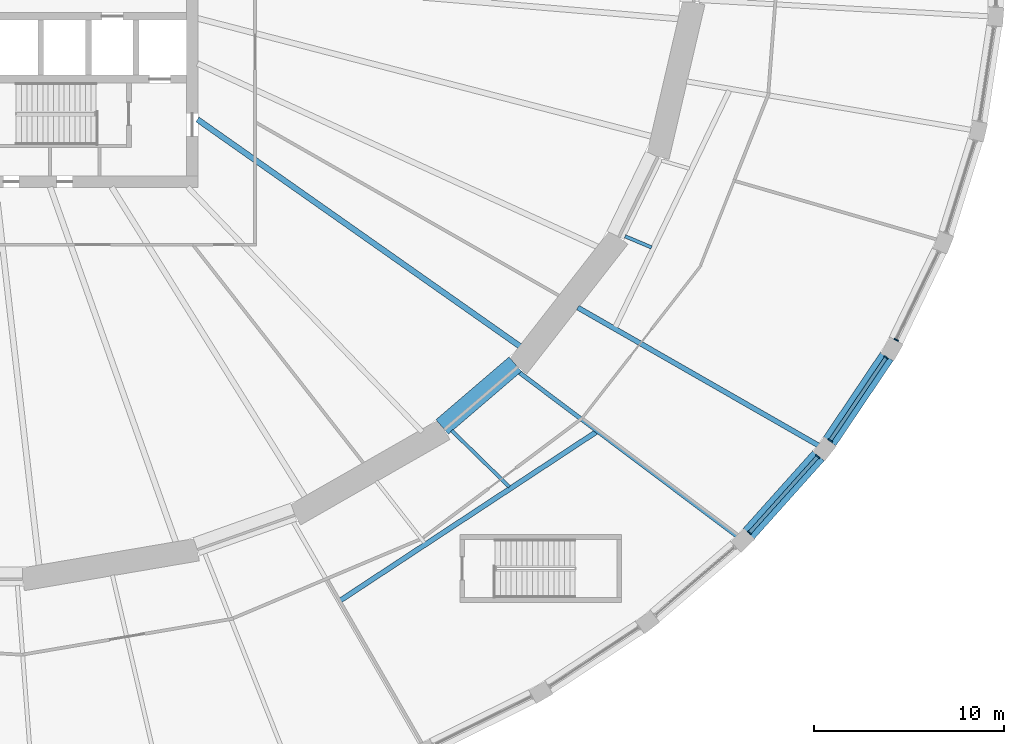
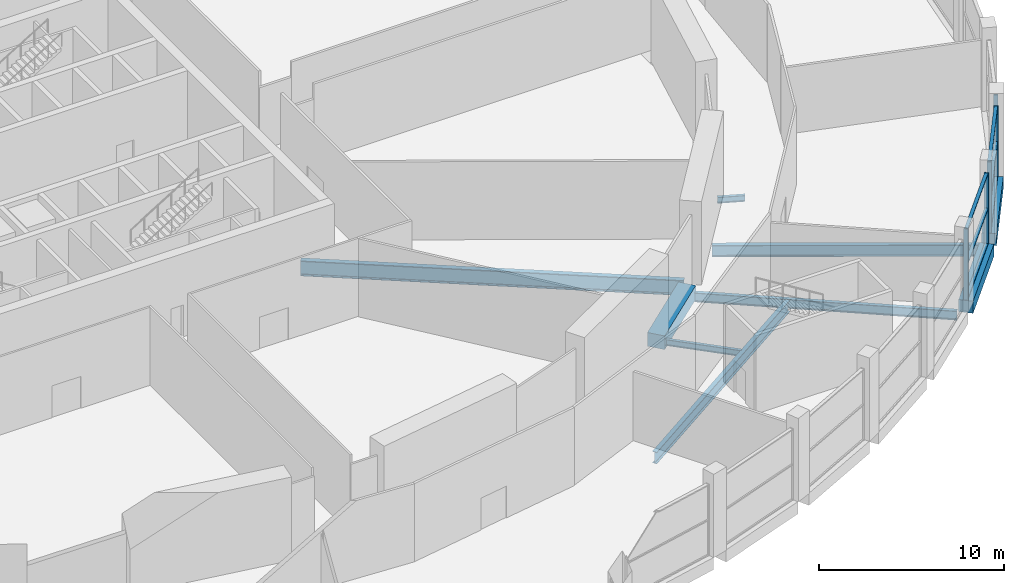
# One storey, part 9 of 29: 11 members, 9 beams, 3 elements without a shape of their own.
"""IFC4 building model written with IfcOpenShell, lengths in metres."""

from ifc_helpers import new_model, si_unit, direction, frame, origin, origin_2d, place, context, subcontext, project, spatial, rectangle, i_section, extrude, material, material_profile, profile_set, type_object, element, aggregate, save


model = new_model("IFC4")

# Units and contexts
model_context = context("Model", 3, precision=1e-05, world=origin(), true_north=direction((0.0, 1.0)))
body_context = subcontext(model_context, "Body", "Model", "MODEL_VIEW")
ifc_project = project(units=[si_unit("LENGTHUNIT", "METRE"), si_unit("AREAUNIT", "SQUARE_METRE"), si_unit("VOLUMEUNIT", "CUBIC_METRE"), si_unit("PLANEANGLEUNIT", "RADIAN"), si_unit("MASSUNIT", "GRAM", prefix="KILO")], contexts=[model_context])

# Site, building, storey
site_placement = place(None, origin())
site = spatial("IfcSite", under=ifc_project, at=site_placement, CompositionType="ELEMENT")
building_placement = place(site_placement, origin())
building = spatial("IfcBuilding", under=site, at=building_placement, Name="Halqa Exchange Tower", CompositionType="ELEMENT")
storey_placement = place(building_placement, frame((0.0, 0.0, 7.0)))
storey = spatial("IfcBuildingStorey", under=building, at=storey_placement, Name="L01", CompositionType="ELEMENT", Elevation=7.0)

# Curtain wall, members
ifc_material_1 = material(Name="Anodised aluminium and clear glass", Category="aluminium")
curtain_wall_type = type_object("IfcCurtainWallType", Name="Exchange hall glazing", PredefinedType="NOTDEFINED", material=ifc_material_1)
curtain_wall_1_placement = place(storey_placement, origin())
curtain_wall_1 = element("IfcCurtainWall", 1, at=curtain_wall_1_placement, inside=storey, type_object=curtain_wall_type, Name="Exchange hall glazing run P43", PredefinedType="NOTDEFINED")
ifc_material_2 = material(Name="Anodised aluminium", Category="aluminium")
ifc_material_profile_1 = material_profile(ifc_material_2, rectangle(XDim=0.25, YDim=0.070068359375, at=origin_2d()), Name="AL 70x250")
ifc_profile_set_1 = profile_set([ifc_material_profile_1], Name="Anodised aluminium")
member_type_1 = type_object("IfcMemberType", Name="Exchange hall glazing mullion 70 x 250", PredefinedType="MULLION", material=ifc_profile_set_1)
member_1_placement = place(storey_placement, frame((40.9560546875, -30.12890625, 0.0), z_axis=(0.0, 0.0, 1.0), x_axis=(-0.74514769466, 0.666899477539, 0.0)))
member_1 = element("IfcMember", 2, at=member_1_placement, type_object=member_type_1, Name="P43 mullion 1", PredefinedType="MULLION", context=body_context, shape_type="SweptSolid", body=[
    extrude(rectangle(XDim=0.25, YDim=0.070068359375, at=origin_2d()), origin(), (0.0, 0.0, 1.0), 4.699951171875),
])
member_2_placement = place(storey_placement, frame((44.542724609375, -26.12158203125, 0.0), z_axis=(0.0, 0.0, 1.0), x_axis=(-0.74514769466, 0.666899477539, 0.0)))
member_2 = element("IfcMember", 3, at=member_2_placement, type_object=member_type_1, Name="P43 mullion 2", PredefinedType="MULLION", context=body_context, shape_type="SweptSolid", body=[
    extrude(rectangle(XDim=0.25, YDim=0.070068359375, at=origin_2d()), origin(), (0.0, 0.0, 1.0), 4.699951171875),
])

curtain_wall_2_placement = place(storey_placement, origin())
curtain_wall_2 = element("IfcCurtainWall", 4, at=curtain_wall_2_placement, inside=storey, type_object=curtain_wall_type, Name="Exchange hall glazing run P44", PredefinedType="NOTDEFINED")
member_3_placement = place(storey_placement, frame((45.1982421875, -25.279052734375, 0.0), z_axis=(0.0, 0.0, 1.0), x_axis=(-0.8294895023, 0.55852230535, 0.0)))
member_3 = element("IfcMember", 5, at=member_3_placement, type_object=member_type_1, Name="P44 mullion 1", PredefinedType="MULLION", context=body_context, shape_type="SweptSolid", body=[
    extrude(rectangle(XDim=0.25, YDim=0.070068359375, at=origin_2d()), origin(), (0.0, 0.0, 1.0), 4.699951171875),
])
member_4_placement = place(storey_placement, frame((48.13232421875, -20.921630859375, 0.0), z_axis=(0.0, 0.0, 1.0), x_axis=(-0.8294895023, 0.55852230535, 0.0)))
member_4 = element("IfcMember", 6, at=member_4_placement, type_object=member_type_1, Name="P44 mullion 2", PredefinedType="MULLION", context=body_context, shape_type="SweptSolid", body=[
    extrude(rectangle(XDim=0.25, YDim=0.070068359375, at=origin_2d()), origin(), (0.0, 0.0, 1.0), 4.699951171875),
])

# Curtain wall, member
curtain_wall_3_placement = place(storey_placement, origin())
curtain_wall_3 = element("IfcCurtainWall", 7, at=curtain_wall_3_placement, inside=storey, type_object=curtain_wall_type, Name="Exchange hall glazing run P45", PredefinedType="NOTDEFINED")
member_5_placement = place(storey_placement, frame((48.663818359375, -19.996337890625, 0.0), z_axis=(0.0, 0.0, 1.0), x_axis=(-0.90043534892, 0.434989864727, 0.0)))
member_5 = element("IfcMember", 8, at=member_5_placement, type_object=member_type_1, Name="P45 mullion 1", PredefinedType="MULLION", context=body_context, shape_type="SweptSolid", body=[
    extrude(rectangle(XDim=0.25, YDim=0.070068359375, at=origin_2d()), origin(), (0.0, 0.0, 1.0), 4.699951171875),
])
aggregate(curtain_wall_3, [member_5])

# Member
ifc_material_profile_2 = material_profile(ifc_material_2, rectangle(XDim=0.199951171875, YDim=0.070068359375, at=origin_2d()), Name="AL 70x200")
ifc_profile_set_2 = profile_set([ifc_material_profile_2], Name="Anodised aluminium")
member_type_2 = type_object("IfcMemberType", Name="Exchange hall glazing transom 70 x 200", PredefinedType="USERDEFINED", material=ifc_profile_set_2)
member_6_placement = place(storey_placement, frame((40.9794921875, -30.10302734375, 0.034912109375), z_axis=(0.666880900978, 0.745164320074, 0.0), x_axis=(-0.745164320074, 0.666880900978, 0.0)))
member_6 = element("IfcMember", 9, at=member_6_placement, type_object=member_type_2, Name="P43 transom 1.1", ObjectType="TRANSOM", PredefinedType="USERDEFINED", context=body_context, shape_type="SweptSolid", body=[
    extrude(rectangle(XDim=0.199951171875, YDim=0.070068359375, at=origin_2d()), origin(), (0.0, 0.0, 1.0), 5.30810546875),
])

member_7_placement = place(storey_placement, frame((40.9794921875, -30.10302734375, 2.35009765625), z_axis=(0.666880900978, 0.745164320074, 0.0), x_axis=(-0.745164320074, 0.666880900978, 0.0)))
member_7 = element("IfcMember", 10, at=member_7_placement, type_object=member_type_2, Name="P43 transom 1.2", ObjectType="TRANSOM", PredefinedType="USERDEFINED", context=body_context, shape_type="SweptSolid", body=[
    extrude(rectangle(XDim=0.199951171875, YDim=0.070068359375, at=origin_2d()), origin(), (0.0, 0.0, 1.0), 5.30810546875),
])

member_8_placement = place(storey_placement, frame((40.9794921875, -30.10302734375, 4.6650390625), z_axis=(0.666880900978, 0.745164320074, 0.0), x_axis=(-0.745164320074, 0.666880900978, 0.0)))
member_8 = element("IfcMember", 11, at=member_8_placement, type_object=member_type_2, Name="P43 transom 1.3", ObjectType="TRANSOM", PredefinedType="USERDEFINED", context=body_context, shape_type="SweptSolid", body=[
    extrude(rectangle(XDim=0.199951171875, YDim=0.070068359375, at=origin_2d()), origin(), (0.0, 0.0, 1.0), 5.30810546875),
])

aggregate(curtain_wall_1, [member_1, member_2, member_6, member_7, member_8])

member_9_placement = place(storey_placement, frame((45.2177734375, -25.250244140625, 0.034912109375), z_axis=(0.558520359636, 0.82949081241, 0.0), x_axis=(-0.82949081241, 0.558520359636, 0.0)))
member_9 = element("IfcMember", 12, at=member_9_placement, type_object=member_type_2, Name="P44 transom 1.1", ObjectType="TRANSOM", PredefinedType="USERDEFINED", context=body_context, shape_type="SweptSolid", body=[
    extrude(rectangle(XDim=0.199951171875, YDim=0.070068359375, at=origin_2d()), origin(), (0.0, 0.0, 1.0), 5.183349609375),
])

member_10_placement = place(storey_placement, frame((45.2177734375, -25.250244140625, 2.35009765625), z_axis=(0.558520359636, 0.82949081241, 0.0), x_axis=(-0.82949081241, 0.558520359636, 0.0)))
member_10 = element("IfcMember", 13, at=member_10_placement, type_object=member_type_2, Name="P44 transom 1.2", ObjectType="TRANSOM", PredefinedType="USERDEFINED", context=body_context, shape_type="SweptSolid", body=[
    extrude(rectangle(XDim=0.199951171875, YDim=0.070068359375, at=origin_2d()), origin(), (0.0, 0.0, 1.0), 5.183349609375),
])

member_11_placement = place(storey_placement, frame((45.2177734375, -25.250244140625, 4.6650390625), z_axis=(0.558520359636, 0.82949081241, 0.0), x_axis=(-0.82949081241, 0.558520359636, 0.0)))
member_11 = element("IfcMember", 14, at=member_11_placement, type_object=member_type_2, Name="P44 transom 1.3", ObjectType="TRANSOM", PredefinedType="USERDEFINED", context=body_context, shape_type="SweptSolid", body=[
    extrude(rectangle(XDim=0.199951171875, YDim=0.070068359375, at=origin_2d()), origin(), (0.0, 0.0, 1.0), 5.183349609375),
])

aggregate(curtain_wall_2, [member_3, member_4, member_9, member_10, member_11])

# Beams
ifc_material_3 = material(Name="Steel S355", Category="steel")
ifc_material_profile_3 = material_profile(ifc_material_3, i_section(OverallWidth=0.300048828125, OverallDepth=1.0, WebThickness=0.01904296875, FlangeThickness=0.035888671875, FilletRadius=0.030029296875, at=origin_2d()), Name="HEB 1000")
ifc_profile_set_3 = profile_set([ifc_material_profile_3], Name="Steel S355")
beam_type_1 = type_object("IfcBeamType", Name="Floor beam HEB 1000", PredefinedType="BEAM", material=ifc_profile_set_3)
beam_1_placement = place(storey_placement, frame((11.972412109375, -8.421875, -0.85009765625), z_axis=(0.817909911418, -0.575346310325, 0.0), x_axis=(0.575346310325, 0.817909911418, 0.0)))
element("IfcBeam", 15, at=beam_1_placement, inside=storey, type_object=beam_type_1, Name="Radial beam 29", PredefinedType="BEAM", context=body_context, shape_type="SweptSolid", body=[
    extrude(i_section(OverallWidth=0.300048828125, OverallDepth=1.0, WebThickness=0.01904296875, FlangeThickness=0.035888671875, FilletRadius=0.030029296875, at=origin_2d()), origin(), (0.0, 0.0, 1.0), 20.804443359375),
])
ifc_material_profile_4 = material_profile(ifc_material_3, i_section(OverallWidth=0.179931640625, OverallDepth=0.39990234375, WebThickness=0.008544921875, FlangeThickness=0.013427734375, FilletRadius=0.02099609375, at=origin_2d()), Name="IPE 400")
ifc_profile_set_4 = profile_set([ifc_material_profile_4], Name="Steel S355")
beam_type_2 = type_object("IfcBeamType", Name="Floor beam IPE 400", PredefinedType="BEAM", material=ifc_profile_set_4)
beam_2_placement = place(storey_placement, frame((25.322265625, -24.757080078125, -0.550048828125), z_axis=(0.715007310884, -0.699116975464, 0.0), x_axis=(0.699116975464, 0.715007310884, 0.0)))
element("IfcBeam", 16, at=beam_2_placement, inside=storey, type_object=beam_type_2, Name="Radial beam 42a", PredefinedType="BEAM", context=body_context, shape_type="SweptSolid", body=[
    extrude(i_section(OverallWidth=0.179931640625, OverallDepth=0.39990234375, WebThickness=0.008544921875, FlangeThickness=0.013427734375, FilletRadius=0.02099609375, at=origin_2d()), origin(), (0.0, 0.0, 1.0), 4.22509765625),
])
beam_3_placement = place(storey_placement, frame((34.423583984375, -14.555419921875, -0.550048828125), z_axis=(0.921076708702, -0.389381171459, 0.0), x_axis=(0.389381171459, 0.921076708702, 0.0)))
element("IfcBeam", 17, at=beam_3_placement, inside=storey, type_object=beam_type_2, Name="Radial beam 45a", PredefinedType="BEAM", context=body_context, shape_type="SweptSolid", body=[
    extrude(i_section(OverallWidth=0.179931640625, OverallDepth=0.39990234375, WebThickness=0.008544921875, FlangeThickness=0.013427734375, FilletRadius=0.02099609375, at=origin_2d()), origin(), (0.0, 0.0, 1.0), 1.5078125),
])
ifc_material_profile_5 = material_profile(ifc_material_3, i_section(OverallWidth=0.219970703125, OverallDepth=0.60009765625, WebThickness=0.011962890625, FlangeThickness=0.01904296875, FilletRadius=0.02392578125, at=origin_2d()), Name="IPE 600")
ifc_profile_set_5 = profile_set([ifc_material_profile_5], Name="Steel S355")
beam_type_3 = type_object("IfcBeamType", Name="Floor beam IPE 600", PredefinedType="BEAM", material=ifc_profile_set_5)
beam_4_placement = place(storey_placement, frame((28.875732421875, -21.71240234375, -0.64990234375), z_axis=(0.799257291391, -0.600989003359, 0.0), x_axis=(0.600989003359, 0.799257291391, 0.0)))
element("IfcBeam", 18, at=beam_4_placement, inside=storey, type_object=beam_type_3, Name="Radial beam 43", PredefinedType="BEAM", context=body_context, shape_type="SweptSolid", body=[
    extrude(i_section(OverallWidth=0.219970703125, OverallDepth=0.60009765625, WebThickness=0.011962890625, FlangeThickness=0.01904296875, FilletRadius=0.02392578125, at=origin_2d()), origin(), (0.0, 0.0, 1.0), 14.291259765625),
])
ifc_material_profile_6 = material_profile(ifc_material_3, i_section(OverallWidth=0.264892578125, OverallDepth=0.7529296875, WebThickness=0.01318359375, FlangeThickness=0.01708984375, FilletRadius=0.01708984375, at=origin_2d()), Name="IPE 750x147")
ifc_profile_set_6 = profile_set([ifc_material_profile_6], Name="Steel S355")
beam_type_4 = type_object("IfcBeamType", Name="Floor beam IPE 750x147", PredefinedType="BEAM", material=ifc_profile_set_6)
beam_5_placement = place(storey_placement, frame((31.942626953125, -18.300048828125, -0.7265625), z_axis=(0.867691436398, -0.497103179633, 0.0), x_axis=(0.497103179633, 0.867691436398, 0.0)))
element("IfcBeam", 19, at=beam_5_placement, inside=storey, type_object=beam_type_4, Name="Radial beam 44", PredefinedType="BEAM", context=body_context, shape_type="SweptSolid", body=[
    extrude(i_section(OverallWidth=0.264892578125, OverallDepth=0.7529296875, WebThickness=0.01318359375, FlangeThickness=0.01708984375, FilletRadius=0.01708984375, at=origin_2d()), origin(), (0.0, 0.0, 1.0), 14.555908203125),
])
ifc_material_profile_7 = material_profile(ifc_material_3, i_section(OverallWidth=0.26806640625, OverallDepth=0.77001953125, WebThickness=0.015625, FlangeThickness=0.025390625, FilletRadius=0.01708984375, at=origin_2d()), Name="IPE 750x196")
ifc_profile_set_7 = profile_set([ifc_material_profile_7], Name="Steel S355")
beam_type_5 = type_object("IfcBeamType", Name="Floor beam IPE 750x196", PredefinedType="BEAM", material=ifc_profile_set_7)
beam_6_placement = place(storey_placement, frame((19.467041015625, -33.682373046875, -0.735107421875), z_axis=(0.835204203593, 0.54993994063, 0.0), x_axis=(-0.54993994063, 0.835204203593, 0.0)))
element("IfcBeam", 20, at=beam_6_placement, inside=storey, type_object=beam_type_5, Name="Radial beam TPS2-in", PredefinedType="BEAM", context=body_context, shape_type="SweptSolid", body=[
    extrude(i_section(OverallWidth=0.26806640625, OverallDepth=0.77001953125, WebThickness=0.015625, FlangeThickness=0.025390625, FilletRadius=0.01708984375, at=origin_2d()), origin(), (0.0, 0.0, 1.0), 16.07958984375),
])
ifc_material_4 = material(Name="Concrete C60/75", Category="concrete")
ifc_material_profile_8 = material_profile(ifc_material_4, rectangle(XDim=0.800048828125, YDim=0.800048828125, at=origin_2d()), Name="800 x 800")
ifc_profile_set_8 = profile_set([ifc_material_profile_8], Name="Concrete C60/75")
beam_type_6 = type_object("IfcBeamType", Name="RC podium edge beam 800 x 800 C60/75", PredefinedType="SPANDREL", material=ifc_profile_set_8)
beam_7_placement = place(storey_placement, frame((40.914794921875, -30.175048828125, -0.39990234375), z_axis=(0.666902525907, 0.745144966392, 0.0), x_axis=(-0.745144966392, 0.666902525907, 0.0)))
element("IfcBeam", 21, at=beam_7_placement, inside=storey, type_object=beam_type_6, Name="Podium edge beam 43", PredefinedType="SPANDREL", context=body_context, shape_type="SweptSolid", body=[
    extrude(rectangle(XDim=0.800048828125, YDim=0.800048828125, at=origin_2d()), origin(), (0.0, 0.0, 1.0), 5.501220703125),
])
beam_8_placement = place(storey_placement, frame((45.1630859375, -25.331298828125, -0.39990234375), z_axis=(0.558528358221, 0.829485426673, 0.0), x_axis=(-0.829485426673, 0.558528358221, 0.0)))
element("IfcBeam", 22, at=beam_8_placement, inside=storey, type_object=beam_type_6, Name="Podium edge beam 44", PredefinedType="SPANDREL", context=body_context, shape_type="SweptSolid", body=[
    extrude(rectangle(XDim=0.800048828125, YDim=0.800048828125, at=origin_2d()), origin(), (0.0, 0.0, 1.0), 5.378173828125),
])
ifc_material_profile_9 = material_profile(ifc_material_4, rectangle(XDim=1.0, YDim=0.89990234375, at=origin_2d()), Name="1000 x 900")
ifc_profile_set_9 = profile_set([ifc_material_profile_9], Name="Concrete C60/75")
beam_type_7 = type_object("IfcBeamType", Name="RC spandrel beam 1000 x 900 C60/75", PredefinedType="SPANDREL", material=ifc_profile_set_9)
beam_9_placement = place(storey_placement, frame((24.81982421875, -24.56689453125, -0.449951171875), z_axis=(0.759263417999, 0.650783421799, 0.0), x_axis=(-0.650783421799, 0.759263417999, 0.0)))
element("IfcBeam", 23, at=beam_9_placement, inside=storey, type_object=beam_type_7, Name="Spandrel 28", PredefinedType="SPANDREL", context=body_context, shape_type="SweptSolid", body=[
    extrude(rectangle(XDim=1.0, YDim=0.89990234375, at=origin_2d()), origin(), (0.0, 0.0, 1.0), 5.056884765625),
])

save(model, "model.ifc")
